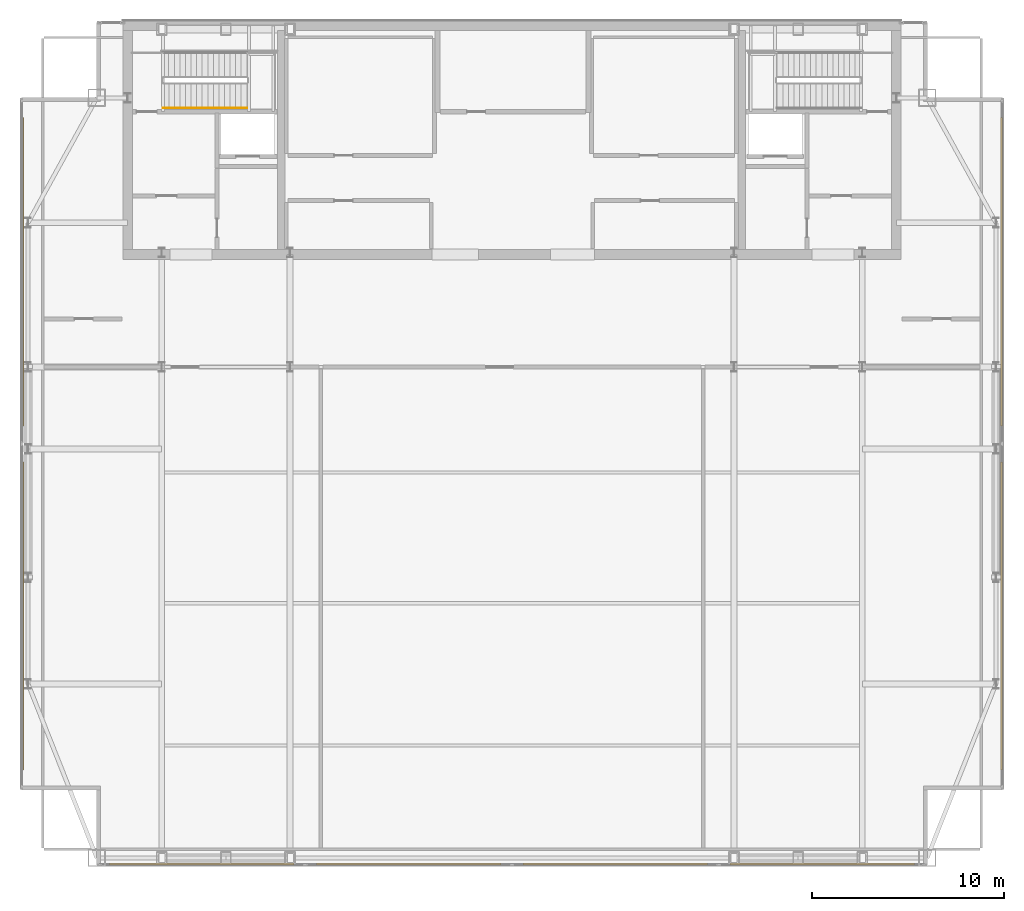
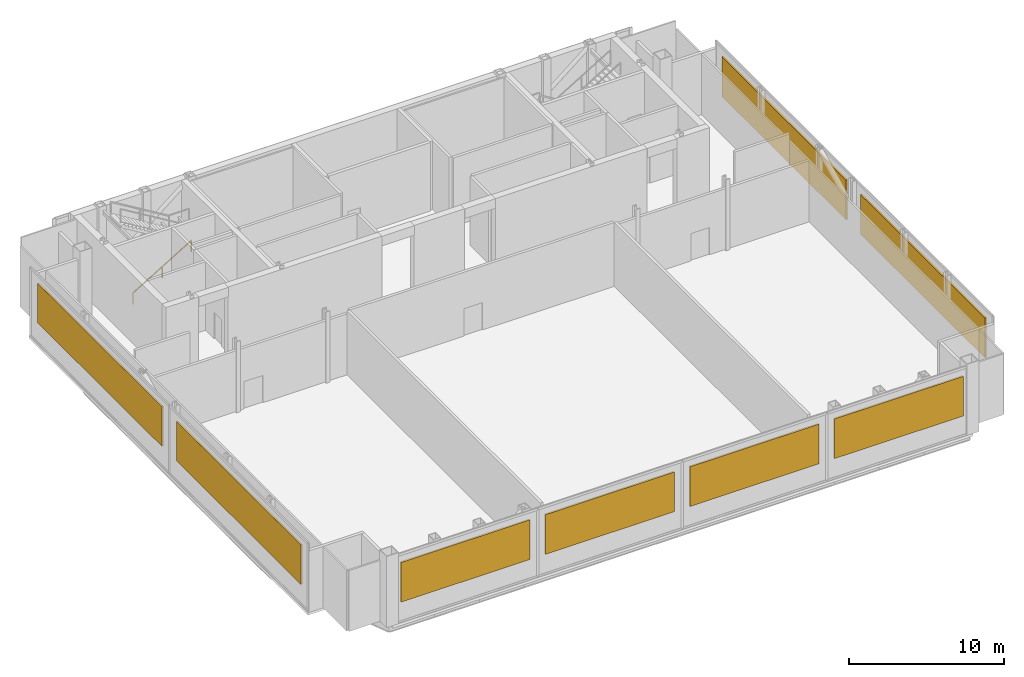
# One storey, part 21 of 22: 8 shading devices, 1 railing.
"""IFC4 building model written with IfcOpenShell, lengths in metres."""

from ifc_helpers import new_model, si_unit, direction, frame, origin, origin_2d, place, context, subcontext, project, spatial, rectangle, extrude, material, layer, layer_set, type_object, element, save


model = new_model("IFC4")

# Units and contexts
model_context = context("Model", 3, precision=1e-05, world=origin(), true_north=direction((0.0, 1.0)))
body_context = subcontext(model_context, "Body", "Model", "MODEL_VIEW")
ifc_project = project(units=[si_unit("LENGTHUNIT", "METRE"), si_unit("AREAUNIT", "SQUARE_METRE"), si_unit("VOLUMEUNIT", "CUBIC_METRE"), si_unit("PLANEANGLEUNIT", "RADIAN"), si_unit("MASSUNIT", "GRAM", prefix="KILO")], contexts=[model_context])

# Site, building, storey
site_placement = place(None, origin())
site = spatial("IfcSite", under=ifc_project, at=site_placement, CompositionType="ELEMENT")
building_placement = place(site_placement, origin())
building = spatial("IfcBuilding", under=site, at=building_placement, Name="Khoronbel Lancet Exchange", CompositionType="ELEMENT")
storey_placement = place(building_placement, frame((0.0, 0.0, 367.39990234375)))
storey = spatial("IfcBuildingStorey", under=building, at=storey_placement, Name="L94", CompositionType="ELEMENT", Elevation=367.39990234375)

# Railing
ifc_material_1 = material(Name="Brushed Stainless Steel 316", Category="steel")
railing_type = type_object("IfcRailingType", Name="RL-STH92", PredefinedType="HANDRAIL", material=ifc_material_1)
railing_placement = place(storey_placement, frame((18.300048828125, 49.169921875, 0.175048828125)))
element("IfcRailing", 1, at=railing_placement, inside=storey, type_object=railing_type, Name="L94 ST1 stair handrail 1", PredefinedType="HANDRAIL", context=body_context, shape_type="SweptSolid", body=[
    extrude(rectangle(XDim=0.048095703125, YDim=0.048095703125, at=origin_2d()), frame((0.0, 0.0, 0.8759765625), z_axis=(0.856179964356, 0.0, 0.516677722218), x_axis=(0.0, 1.0, 0.0)), (0.0, 0.0, 1.0), 5.08056640625),
    extrude(rectangle(XDim=0.0419921875, YDim=0.0419921875, at=origin_2d()), origin(), (0.0, 0.0, 1.0), 0.851806640625),
    extrude(rectangle(XDim=0.0419921875, YDim=0.0419921875, at=origin_2d()), frame((2.1748046875, 0.0, 1.3125)), (0.0, 0.0, 1.0), 0.851806640625),
    extrude(rectangle(XDim=0.0419921875, YDim=0.0419921875, at=origin_2d()), frame((4.349853515625, 0.0, 2.625)), (0.0, 0.0, 1.0), 0.851806640625),
])

# Shading devices
ifc_material_2 = material(Name="Bronze-Anodised Aluminium 6063-T6", Category="aluminium")
ifc_layer = layer(ifc_material_2, 0.159912109375, Name="Bronze-Anodised Aluminium 6063-T6")
ifc_layer_set = layer_set([ifc_layer], Name="Bronze-Anodised Aluminium 6063-T6")
shading_device_type = type_object("IfcShadingDeviceType", Name="SHD-LVR2", PredefinedType="JALOUSIE", material=ifc_layer_set)
for number, where, z_axis, x_axis, name in (
    (2, (10.97998046875, 22.7451171875, 1.57763671875), (0.0, 0.0, 1.0), (0.0, 1.0, 0.0), "Sand-trap bronze acoustic louvre CW-L94-E03-1"),
    (3, (10.97998046875, 40.655029296875, 1.57763671875), (0.0, 0.0, 1.0), (0.0, 1.0, 0.0), "Sand-trap bronze acoustic louvre CW-L94-E03-2"),
    (4, (61.919921875, 40.655029296875, 1.57763671875), (0.0, 0.0, 1.0), (0.0, -1.0, 0.0), "Sand-trap bronze acoustic louvre CW-L94-E09-1"),
    (5, (61.919921875, 22.7451171875, 1.57763671875), (0.0, 0.0, 1.0), (0.0, -1.0, 0.0), "Sand-trap bronze acoustic louvre CW-L94-E09-2"),
):
    element("IfcShadingDevice", number, at=place(storey_placement, frame(where, z_axis=z_axis, x_axis=x_axis)), inside=storey, type_object=shading_device_type, Name=name, PredefinedType="JALOUSIE", context=body_context, shape_type="SweptSolid", body=[
        extrude(rectangle(XDim=16.0380859375, YDim=0.1201171875, at=origin_2d()), origin(), (0.0, 0.0, 1.0), 3.124755859375),
    ])
for number, where, z_axis, x_axis, name in (
    (6, (52.58251953125, 9.830078125, 1.57763671875), (0.0, 0.0, 1.0), (-1.0, 0.0, 0.0), "Sand-trap bronze acoustic louvre CW-L94-E12-1"),
    (7, (41.827392578125, 9.830078125, 1.57763671875), (0.0, 0.0, 1.0), (-1.0, 0.0, 0.0), "Sand-trap bronze acoustic louvre CW-L94-E12-2"),
    (8, (31.072509765625, 9.830078125, 1.57763671875), (0.0, 0.0, 1.0), (-1.0, 0.0, 0.0), "Sand-trap bronze acoustic louvre CW-L94-E12-3"),
    (9, (20.3173828125, 9.830078125, 1.57763671875), (0.0, 0.0, 1.0), (-1.0, 0.0, 0.0), "Sand-trap bronze acoustic louvre CW-L94-E12-4"),
):
    element("IfcShadingDevice", number, at=place(storey_placement, frame(where, z_axis=z_axis, x_axis=x_axis)), inside=storey, type_object=shading_device_type, Name=name, PredefinedType="JALOUSIE", context=body_context, shape_type="SweptSolid", body=[
        extrude(rectangle(XDim=9.598388671875, YDim=0.1201171875, at=origin_2d()), origin(), (0.0, 0.0, 1.0), 3.124755859375),
    ])

save(model, "model.ifc")
